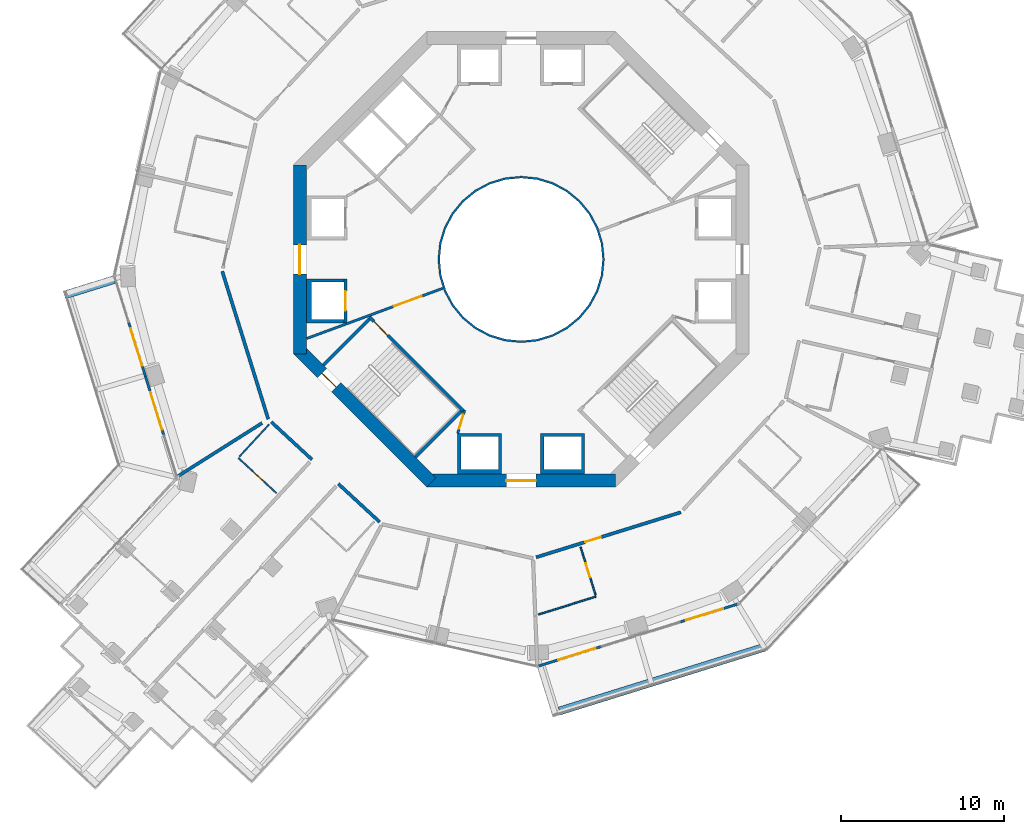
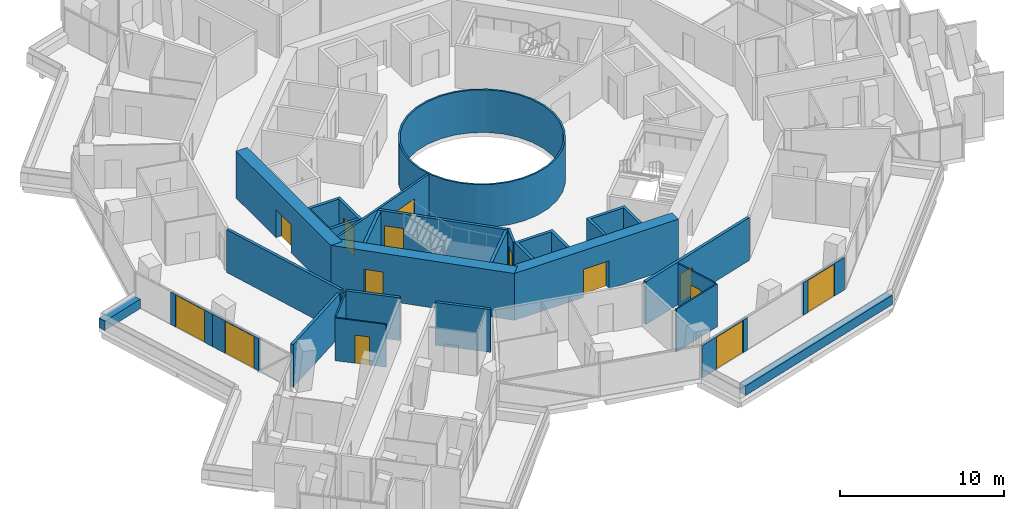
# One storey, part 18 of 25: 28 walls, 14 doors, 14 openings.
"""IFC4 building model written with IfcOpenShell, lengths in metres."""

import ifcopenshell
import ifcopenshell.guid

model = None  # the IFC model being written
_history = None  # IfcOwnerHistory: only IFC2X3 demands one
_inside = {}  # id of a spatial element -> (the spatial element, [elements in it])
_under = {}  # id of a project, library or spatial element -> (it, [spatial elements below it])
_declared = {}  # id of a project -> (the project, [libraries it declares])
_typed = {}  # id of a type object -> (the type object, [elements of that type])
_made_of = {}  # id of a material, layer set ... -> (it, [elements and type objects made of it])


def new_model(schema):
    """Start an empty IFC model of exactly this schema.

    Asked for "IFC4X3", IfcOpenShell would pick the latest addendum, in which some entities
    have other attributes; the version numbers below select the first issue.
    IFC2X3 requires an IfcOwnerHistory on every rooted entity: one is made here for all.
    """
    global model, _history
    if schema == "IFC4X3":
        model = ifcopenshell.file(schema_version=(4, 3, 0, 0))
    else:
        model = ifcopenshell.file(schema=schema)
    _inside.clear()
    _under.clear()
    _declared.clear()
    _typed.clear()
    _made_of.clear()
    _history = None
    if model.schema == "IFC2X3":
        org = make("IfcOrganization", Name="unknown")
        user = make(
            "IfcPersonAndOrganization",
            ThePerson=make("IfcPerson", FamilyName="unknown"),
            TheOrganization=org,
        )
        app = make(
            "IfcApplication",
            ApplicationDeveloper=org,
            Version="unknown",
            ApplicationFullName="unknown",
            ApplicationIdentifier="unknown",
        )
        _history = make(
            "IfcOwnerHistory",
            OwningUser=user,
            OwningApplication=app,
            ChangeAction="ADDED",
            CreationDate=0,
        )
    return model


def make(cls, **values):
    """One entity of the class cls with the attributes given. An attribute that is None is left unset."""
    return model.create_entity(
        cls, **{name: value for name, value in values.items() if value is not None}
    )


def rooted(cls, **values):
    """An entity with a GlobalId (a new one), such as an element, a storey or a relation."""
    return make(cls, GlobalId=ifcopenshell.guid.new(), OwnerHistory=_history, **values)


def si_unit(unit_type, name, prefix=None):
    """IfcSIUnit, for example si_unit("LENGTHUNIT", "METRE", prefix="MILLI")."""
    return make("IfcSIUnit", UnitType=unit_type, Prefix=prefix, Name=name)


def assignment(units):
    """IfcUnitAssignment: the units of a project."""
    return None if units is None else make("IfcUnitAssignment", Units=units)


def point(xyz):
    """IfcCartesianPoint."""
    return None if xyz is None else make("IfcCartesianPoint", Coordinates=xyz)


def direction(xyz):
    """IfcDirection."""
    return None if xyz is None else make("IfcDirection", DirectionRatios=xyz)


def frame(location, z_axis=None, x_axis=None):
    """IfcAxis2Placement3D, a coordinate frame: its origin and axes. An axis left out is left unset."""
    return make(
        "IfcAxis2Placement3D",
        Location=point(location),
        Axis=direction(z_axis),
        RefDirection=direction(x_axis),
    )


def frame_2d(location, x_axis=None):
    """IfcAxis2Placement2D, a coordinate frame in the plane: its origin and x axis."""
    return make(
        "IfcAxis2Placement2D", Location=point(location), RefDirection=direction(x_axis)
    )


def origin():
    """The frame at (0, 0, 0) with its axes left unset."""
    return frame((0.0, 0.0, 0.0))


def place(relative_to, where):
    """IfcLocalPlacement: puts the frame where relative to a parent placement (None: the world)."""
    return make(
        "IfcLocalPlacement", PlacementRelTo=relative_to, RelativePlacement=where
    )


def context(
    kind, dimensions, precision=None, world=None, true_north=None, identifier=None
):
    """IfcGeometricRepresentationContext, for example the 3D "Model" context."""
    return make(
        "IfcGeometricRepresentationContext",
        ContextIdentifier=identifier,
        ContextType=kind,
        CoordinateSpaceDimension=dimensions,
        Precision=precision,
        WorldCoordinateSystem=world,
        TrueNorth=true_north,
    )


def subcontext(parent, identifier, kind, view, scale=None):
    """IfcGeometricRepresentationSubContext, for example "Body" below "Model"."""
    return make(
        "IfcGeometricRepresentationSubContext",
        ContextIdentifier=identifier,
        ContextType=kind,
        ParentContext=parent,
        TargetScale=scale,
        TargetView=view,
    )


def project(units=None, contexts=None):
    """IfcProject with its units and contexts."""
    return rooted(
        "IfcProject",
        Name="project",
        RepresentationContexts=contexts,
        UnitsInContext=assignment(units),
    )


def spatial(cls, under=None, at=None, **own):
    """A site, building, storey or space (cls), placed at a placement, below another one or the project."""
    s = rooted(cls, ObjectPlacement=at, **own)
    if under is not None:
        _under.setdefault(under.id(), (under, []))[1].append(s)
    return s


def polyline(points):
    """IfcPolyline through the points."""
    return make("IfcPolyline", Points=[point(p) for p in points])


def profile(cls, at=None, kind="AREA", **sizes):
    """A parametric profile (cls). Its sizes go by their IFC names, for example OverallWidth=200.0."""
    return make(cls, ProfileType=kind, Position=at, **sizes)


def rectangle(**sizes):
    """IfcRectangleProfileDef."""
    return profile("IfcRectangleProfileDef", **sizes)


def outline(outer, holes=None, kind="AREA"):
    """IfcArbitraryClosedProfileDef: a profile drawn as a closed curve; with holes, ...WithVoids."""
    if holes is None:
        return make("IfcArbitraryClosedProfileDef", ProfileType=kind, OuterCurve=outer)
    return make(
        "IfcArbitraryProfileDefWithVoids",
        ProfileType=kind,
        OuterCurve=outer,
        InnerCurves=holes,
    )


def extrude(swept, where, along, depth):
    """IfcExtrudedAreaSolid: the profile swept, set in the frame where, extruded along a direction by depth."""
    return make(
        "IfcExtrudedAreaSolid",
        SweptArea=swept,
        Position=where,
        ExtrudedDirection=direction(along),
        Depth=depth,
    )


def shape(context_of_items, identifier, shape_type, items):
    """IfcShapeRepresentation: the items that make up one representation, for example the "Body"."""
    return make(
        "IfcShapeRepresentation",
        ContextOfItems=context_of_items,
        RepresentationIdentifier=identifier,
        RepresentationType=shape_type,
        Items=items,
    )


def material(Name=None, Category=None):
    """IfcMaterial."""
    return make("IfcMaterial", Name=Name, Category=Category)


def layer(
    of_material, thickness, ventilated=None, Name=None, Category=None, Priority=None
):
    """IfcMaterialLayer: one layer of a wall or slab, of a material (None: an air gap)."""
    return make(
        "IfcMaterialLayer",
        Material=of_material,
        LayerThickness=thickness,
        IsVentilated=ventilated,
        Name=Name,
        Category=Category,
        Priority=Priority,
    )


def layer_set(layers, Name=None):
    """IfcMaterialLayerSet."""
    return make("IfcMaterialLayerSet", MaterialLayers=layers, LayerSetName=Name)


def made_of(thing, what):
    """Note that an element or type object is made of a material, layer set ...; save() writes the relation."""
    if what is not None:
        _made_of.setdefault(what.id(), (what, []))[1].append(thing)
    return thing


def type_object(cls, material=None, **own):
    """A type object (cls), such as IfcWallType, which elements share."""
    return made_of(rooted(cls, **own), material)


def element(
    cls,
    number,
    at=None,
    inside=None,
    cuts=None,
    type_object=None,
    material=None,
    context=None,
    identifier="Body",
    shape_type=None,
    held_by="IfcProductDefinitionShape",
    body=None,
    shapes=None,
    **own,
):
    """One element of the class cls, such as IfcWall. Its Tag is "e" and its number.

    at: its placement. inside: the storey or other place that contains it. cuts: it is an
    opening in that element (IfcRelVoidsElement). A single representation is given by context,
    identifier, shape_type and body (its items); several are given by shapes. held_by: the class
    of the entity that holds the representations. save() writes the other relations.
    """
    e = rooted(cls, Tag="e%d" % number, ObjectPlacement=at, **own)
    if body is not None:
        shapes = [shape(context, identifier, shape_type, body)]
    if shapes is not None:
        e.Representation = make(held_by, Representations=shapes)
    if inside is not None:
        _inside.setdefault(inside.id(), (inside, []))[1].append(e)
    if cuts is not None:
        rooted(
            "IfcRelVoidsElement", RelatingBuildingElement=cuts, RelatedOpeningElement=e
        )
    if type_object is not None:
        _typed.setdefault(type_object.id(), (type_object, []))[1].append(e)
    return made_of(e, material)


def fill(opening, filler):
    """IfcRelFillsElement: the door or window that sits in an opening."""
    return rooted(
        "IfcRelFillsElement",
        RelatingOpeningElement=opening,
        RelatedBuildingElement=filler,
    )


def aggregate(whole, parts):
    """IfcRelAggregates: a whole, such as a stair, and the parts it consists of."""
    return rooted("IfcRelAggregates", RelatingObject=whole, RelatedObjects=parts)


def save(model, path):
    """Write the relations noted so far, then the file.

    IfcRelAggregates (storeys below a building ...), IfcRelContainedInSpatialStructure (elements
    in a storey), IfcRelDefinesByType, IfcRelAssociatesMaterial and IfcRelDeclares: one each for
    every whole, place, type object, material and project.
    """
    for whole, parts in _under.values():
        aggregate(whole, parts)
    for where, things in _inside.values():
        rooted(
            "IfcRelContainedInSpatialStructure",
            RelatedElements=things,
            RelatingStructure=where,
        )
    for kind, things in _typed.values():
        rooted("IfcRelDefinesByType", RelatedObjects=things, RelatingType=kind)
    for what, things in _made_of.values():
        rooted("IfcRelAssociatesMaterial", RelatedObjects=things, RelatingMaterial=what)
    for by, libraries in _declared.values():
        rooted("IfcRelDeclares", RelatingContext=by, RelatedDefinitions=libraries)
    model.write(path)


model = new_model("IFC4")

# Units and contexts
model_context = context("Model", 3, precision=1e-05, world=origin(), true_north=direction((0.0, 1.0)))
body_context = subcontext(model_context, "Body", "Model", "MODEL_VIEW")
ifc_project = project(units=[si_unit("LENGTHUNIT", "METRE"), si_unit("AREAUNIT", "SQUARE_METRE"), si_unit("VOLUMEUNIT", "CUBIC_METRE"), si_unit("PLANEANGLEUNIT", "RADIAN"), si_unit("MASSUNIT", "GRAM", prefix="KILO")], contexts=[model_context])

# Site, building, storey
site_placement = place(None, origin())
site = spatial("IfcSite", under=ifc_project, at=site_placement, CompositionType="ELEMENT")
building_placement = place(site_placement, origin())
building = spatial("IfcBuilding", under=site, at=building_placement, Name="Verdalira Terraces Hotel", CompositionType="ELEMENT")
storey_placement = place(building_placement, frame((0.0, 0.0, 103.5)))
storey = spatial("IfcBuildingStorey", under=building, at=storey_placement, Name="L24", CompositionType="ELEMENT", Elevation=103.5)

# Walls
ifc_material_1 = material(Name="Fire-resisting glass EI 180", Category="glass")
ifc_layer_1 = layer(ifc_material_1, 0.1201171875)
ifc_layer_set_1 = layer_set([ifc_layer_1], Name="Atrium fire screen 120 mm")
wall_type_1 = type_object("IfcWallType", Name="Atrium fire screen 120 mm", PredefinedType="SOLIDWALL", material=ifc_layer_set_1)
wall_1_placement = place(storey_placement, origin())
element("IfcWall", 1, at=wall_1_placement, inside=storey, type_object=wall_type_1, Name="Atrium fire screen", PredefinedType="SOLIDWALL", context=body_context, shape_type="SweptSolid", body=[
    extrude(outline(polyline([(5.021484, -0.998779), (4.730225, -1.959229), (4.25708, -2.844482), (3.620361, -3.620361), (2.844482, -4.25708), (1.959229, -4.730225), (0.998779, -5.021484), (0.0, -5.120117), (-0.998779, -5.021484), (-1.959229, -4.730225), (-2.844482, -4.25708), (-3.620361, -3.620361), (-4.25708, -2.844482), (-4.730225, -1.959229), (-5.021484, -0.998779), (-5.120117, 0.0), (-5.021484, 0.998779), (-4.730225, 1.959229), (-4.25708, 2.844482), (-3.620361, 3.620361), (-2.844482, 4.25708), (-1.959229, 4.730225), (-0.998779, 5.021484), (0.0, 5.120117), (0.998779, 5.021484), (1.959229, 4.730225), (2.844482, 4.25708), (3.620361, 3.620361), (4.25708, 2.844482), (4.730225, 1.959229), (5.021484, 0.998779), (5.120117, 0.0), (5.021484, -0.998779)]), holes=[polyline([(4.903809, 0.975586), (4.619385, 1.91333), (4.157227, 2.777832), (3.5354, 3.5354), (2.777832, 4.157227), (1.91333, 4.619385), (0.975586, 4.903809), (0.0, 5.0), (-0.975586, 4.903809), (-1.91333, 4.619385), (-2.777832, 4.157227), (-3.5354, 3.5354), (-4.157227, 2.777832), (-4.619385, 1.91333), (-4.903809, 0.975586), (-5.0, 0.0), (-4.903809, -0.975586), (-4.619385, -1.91333), (-4.157227, -2.777832), (-3.5354, -3.5354), (-2.777832, -4.157227), (-1.91333, -4.619385), (-0.975586, -4.903809), (0.0, -5.0), (0.975586, -4.903809), (1.91333, -4.619385), (2.777832, -4.157227), (3.5354, -3.5354), (4.157227, -2.777832), (4.619385, -1.91333), (4.903809, -0.975586), (5.0, 0.0), (4.903809, 0.975586)])]), origin(), (0.0, 0.0, 1.0), 3.189941),
])
ifc_material_2 = material(Name="Concrete C40", Category="concrete")
ifc_layer_2 = layer(ifc_material_2, 0.5)
ifc_layer_set_2 = layer_set([ifc_layer_2], Name="Balcony planter trough with tree")
wall_type_2 = type_object("IfcWallType", Name="Balcony planter trough with tree", PredefinedType="SOLIDWALL", material=ifc_layer_set_2)
wall_2_placement = place(storey_placement, frame((-25.020996, -1.238037, 0.0), z_axis=(0.0, 0.0, 1.0), x_axis=(-0.954841862, -0.297114489, 0.0)))
element("IfcWall", 2, at=wall_2_placement, inside=storey, type_object=wall_type_2, Name="Balcony planter", PredefinedType="SOLIDWALL", context=body_context, shape_type="SweptSolid", body=[
    extrude(rectangle(XDim=3.198975, YDim=0.5, at=frame_2d((1.599609, 0.0))), origin(), (0.0, 0.0, 1.0), 0.699951),
])
wall_3_placement = place(storey_placement, frame((2.352783, -27.762451, 0.0), z_axis=(0.0, 0.0, 1.0), x_axis=(0.954869112, 0.297026901, 0.0)))
element("IfcWall", 3, at=wall_3_placement, inside=storey, type_object=wall_type_2, Name="Balcony planter", PredefinedType="SOLIDWALL", context=body_context, shape_type="SweptSolid", body=[
    extrude(rectangle(XDim=13.223389, YDim=0.5, at=frame_2d((6.611816, 0.0))), origin(), (0.0, 0.0, 1.0), 0.699951),
])
ifc_material_3 = material(Name="Moisture-resistant gypsum board partition")
ifc_layer_3 = layer(ifc_material_3, 0.10009765625)
ifc_layer_set_3 = layer_set([ifc_layer_3], Name="Bathroom partition 100 mm")
wall_type_3 = type_object("IfcWallType", Name="Bathroom partition 100 mm", PredefinedType="PARTITIONING", material=ifc_layer_set_3)
wall_4_placement = place(storey_placement, frame((-15.489258, -10.140625, 0.0), z_axis=(0.0, 0.0, 1.0), x_axis=(-0.678426553, -0.734668232, 0.0)))
element("IfcWall", 4, at=wall_4_placement, inside=storey, type_object=wall_type_3, Name="Bathroom partition", PredefinedType="PARTITIONING", context=body_context, shape_type="SweptSolid", body=[
    extrude(rectangle(XDim=2.699951, YDim=0.100098, at=frame_2d((1.350098, 0.0))), origin(), (0.0, 0.0, 1.0), 3.189941),
])

# Wall, opening, door
wall_5_placement = place(storey_placement, frame((-17.388916, -12.197754, 0.0), z_axis=(0.0, 0.0, 1.0), x_axis=(0.734698137, -0.678394168, 0.0)))
wall_5 = element("IfcWall", 5, at=wall_5_placement, inside=storey, type_object=wall_type_3, Name="Bathroom partition", PredefinedType="PARTITIONING", context=body_context, shape_type="SweptSolid", body=[
    extrude(rectangle(XDim=3.199951, YDim=0.100098, at=frame_2d((1.600098, 0.0))), origin(), (0.0, 0.0, 1.0), 3.189941),
])
opening_1_placement = place(wall_5_placement, frame((1.25, 0.0, 0.0)))
opening_1 = element("IfcOpeningElement", 6, at=opening_1_placement, cuts=wall_5, Name="Opening L24-115", PredefinedType="OPENING", context=body_context, shape_type="SweptSolid", body=[
    extrude(rectangle(XDim=0.899902, YDim=2.100098, at=frame_2d((0.449951, 1.050049))), frame((0.0, 0.060059, 0.0), z_axis=(0.0, -1.0, 0.0), x_axis=(1.0, 0.0, 0.0)), (0.0, 0.0, 1.0), 0.120117),
])
ifc_material_4 = material(Name="Timber door", Category="wood")
door_type_1 = type_object("IfcDoorType", Name="Bathroom door 900 x 2100", OperationType="NOTDEFINED", PredefinedType="DOOR", material=ifc_material_4)
door_1_placement = place(opening_1_placement, origin())
door_1 = element("IfcDoor", 7, at=door_1_placement, inside=storey, type_object=door_type_1, Name="Bathroom door 2405", OperationType="SINGLE_SWING_LEFT", OverallHeight=2.10009765625, OverallWidth=0.89990234375, PredefinedType="DOOR", context=body_context, shape_type="SweptSolid", body=[
    extrude(rectangle(XDim=0.899902, YDim=2.100098, at=frame_2d((0.449951, 1.050049))), frame((0.0, 0.024902, 0.0), z_axis=(0.0, -1.0, 0.0), x_axis=(1.0, 0.0, 0.0)), (0.0, 0.0, 1.0), 0.050049),
])
fill(opening_1, door_1)

# Wall
wall_6_placement = place(storey_placement, frame((4.605957, -20.725586, 0.0), z_axis=(0.0, 0.0, 1.0), x_axis=(-0.954858023, -0.297062546, 0.0)))
element("IfcWall", 8, at=wall_6_placement, inside=storey, type_object=wall_type_3, Name="Bathroom partition", PredefinedType="PARTITIONING", context=body_context, shape_type="SweptSolid", body=[
    extrude(rectangle(XDim=3.704102, YDim=0.100098, at=frame_2d((1.852051, 0.0))), origin(), (0.0, 0.0, 1.0), 3.189941),
])

# Wall, opening, door
wall_7_placement = place(storey_placement, frame((4.576172, -20.630127, 0.0), z_axis=(0.0, 0.0, 1.0), x_axis=(-0.297001126, 0.954877129, 0.0)))
wall_7 = element("IfcWall", 9, at=wall_7_placement, inside=storey, type_object=wall_type_3, Name="Bathroom partition", PredefinedType="PARTITIONING", context=body_context, shape_type="SweptSolid", body=[
    extrude(rectangle(XDim=3.099854, YDim=0.100098, at=frame_2d((1.549805, 0.0))), origin(), (0.0, 0.0, 1.0), 3.189941),
])
opening_2_placement = place(wall_7_placement, frame((1.149902, 0.0, 0.0)))
opening_2 = element("IfcOpeningElement", 10, at=opening_2_placement, cuts=wall_7, Name="Opening L24-125", PredefinedType="OPENING", context=body_context, shape_type="SweptSolid", body=[
    extrude(rectangle(XDim=0.899902, YDim=2.100098, at=frame_2d((0.449951, 1.050049))), frame((0.0, 0.060059, 0.0), z_axis=(0.0, -1.0, 0.0), x_axis=(1.0, 0.0, 0.0)), (0.0, 0.0, 1.0), 0.120117),
])
door_2_placement = place(opening_2_placement, origin())
door_2 = element("IfcDoor", 11, at=door_2_placement, inside=storey, type_object=door_type_1, Name="Bathroom door 2409", OperationType="SINGLE_SWING_LEFT", OverallHeight=2.10009765625, OverallWidth=0.89990234375, PredefinedType="DOOR", context=body_context, shape_type="SweptSolid", body=[
    extrude(rectangle(XDim=0.899902, YDim=2.100098, at=frame_2d((0.449951, 1.050049))), frame((0.0, 0.024902, 0.0), z_axis=(0.0, -1.0, 0.0), x_axis=(1.0, 0.0, 0.0)), (0.0, 0.0, 1.0), 0.050049),
])
fill(opening_2, door_2)

# Wall
ifc_material_5 = material(Name="Concrete C50", Category="concrete")
ifc_layer_4 = layer(ifc_material_5, 0.199951171875)
ifc_layer_set_4 = layer_set([ifc_layer_4], Name="Core RC wall 200 C50")
wall_type_4 = type_object("IfcWallType", Name="Core RC wall 200 C50", PredefinedType="SOLIDWALL", material=ifc_layer_set_4)
wall_8_placement = place(storey_placement, origin())
element("IfcWall", 12, at=wall_8_placement, inside=storey, type_object=wall_type_4, Name="L24 shaft wall W2", PredefinedType="SOLIDWALL", context=body_context, shape_type="SweptSolid", body=[
    extrude(outline(polyline([(-13.199951, -3.899902), (-13.199951, -1.199951), (-10.899902, -1.199951), (-10.899902, -1.399902), (-12.899902, -1.399902), (-12.899902, -3.699951), (-10.899902, -3.699951), (-10.899902, -3.899902), (-13.199951, -3.899902)])), origin(), (0.0, 0.0, 1.0), 3.189941),
])

# Wall, opening, door
wall_9_placement = place(storey_placement, frame((-10.800049, -1.199951, 0.0), z_axis=(0.0, 0.0, 1.0), x_axis=(0.0, -1.0, 0.0)))
wall_9 = element("IfcWall", 13, at=wall_9_placement, inside=storey, type_object=wall_type_4, Name="L24 shaft front wall W2", PredefinedType="SOLIDWALL", context=body_context, shape_type="SweptSolid", body=[
    extrude(rectangle(XDim=2.699951, YDim=0.199951, at=frame_2d((1.350098, 0.0))), origin(), (0.0, 0.0, 1.0), 3.189941),
])
opening_3_placement = place(wall_9_placement, frame((0.75, 0.0, 0.0)))
opening_3 = element("IfcOpeningElement", 14, at=opening_3_placement, cuts=wall_9, Name="Opening LD-L24-806", PredefinedType="OPENING", context=body_context, shape_type="SweptSolid", body=[
    extrude(rectangle(XDim=1.199951, YDim=2.100098, at=frame_2d((0.600098, 1.050049))), frame((0.0, 0.109863, 0.0), z_axis=(0.0, -1.0, 0.0), x_axis=(1.0, 0.0, 0.0)), (0.0, 0.0, 1.0), 0.219971),
])
ifc_material_6 = material(Name="Stainless steel", Category="steel")
door_type_2 = type_object("IfcDoorType", Name="Landing door 1200 x 2100", OperationType="NOTDEFINED", PredefinedType="DOOR", material=ifc_material_6)
door_3_placement = place(opening_3_placement, origin())
door_3 = element("IfcDoor", 15, at=door_3_placement, inside=storey, type_object=door_type_2, Name="Lift landing door LR6 L24", OperationType="DOUBLE_DOOR_SLIDING", OverallHeight=2.10009765625, OverallWidth=1.199951171875, PredefinedType="DOOR", context=body_context, shape_type="SweptSolid", body=[
    extrude(rectangle(XDim=1.199951, YDim=2.100098, at=frame_2d((0.600098, 1.050049))), frame((0.0, 0.024902, 0.0), z_axis=(0.0, -1.0, 0.0), x_axis=(1.0, 0.0, 0.0)), (0.0, 0.0, 1.0), 0.050049),
])
fill(opening_3, door_3)

# Walls
wall_10_placement = place(storey_placement, origin())
element("IfcWall", 16, at=wall_10_placement, inside=storey, type_object=wall_type_4, Name="L24 shaft wall S1", PredefinedType="SOLIDWALL", context=body_context, shape_type="SweptSolid", body=[
    extrude(outline(polyline([(-1.199951, -13.199951), (-3.899902, -13.199951), (-3.899902, -10.699951), (-1.199951, -10.699951), (-1.199951, -13.199951)]), holes=[polyline([(-3.699951, -10.899902), (-3.699951, -12.899902), (-1.399902, -12.899902), (-1.399902, -10.899902), (-3.699951, -10.899902)])]), origin(), (0.0, 0.0, 1.0), 3.189941),
])
wall_11_placement = place(storey_placement, origin())
element("IfcWall", 17, at=wall_11_placement, inside=storey, type_object=wall_type_4, Name="L24 shaft wall S2", PredefinedType="SOLIDWALL", context=body_context, shape_type="SweptSolid", body=[
    extrude(outline(polyline([(3.899902, -10.699951), (3.899902, -13.199951), (1.199951, -13.199951), (1.199951, -10.699951), (3.899902, -10.699951)]), holes=[polyline([(1.399902, -12.899902), (3.699951, -12.899902), (3.699951, -10.899902), (1.399902, -10.899902), (1.399902, -12.899902)])]), origin(), (0.0, 0.0, 1.0), 3.189941),
])

# Wall, opening, door
wall_12_placement = place(storey_placement, frame((-3.5354, -9.33374, 0.0), z_axis=(0.0, 0.0, 1.0), x_axis=(-0.707106781, 0.707106781, 0.0)))
wall_12 = element("IfcWall", 18, at=wall_12_placement, inside=storey, type_object=wall_type_4, Name="L24 stair ST2 front wall", PredefinedType="SOLIDWALL", context=body_context, shape_type="SweptSolid", body=[
    extrude(rectangle(XDim=8.200195, YDim=0.199951, at=frame_2d((4.100098, 0.0))), origin(), (0.0, 0.0, 1.0), 3.189941),
])
opening_4_placement = place(wall_12_placement, frame((6.600098, 0.0, 0.0)))
opening_4 = element("IfcOpeningElement", 19, at=opening_4_placement, cuts=wall_12, Name="Opening L24-810", PredefinedType="OPENING", context=body_context, shape_type="SweptSolid", body=[
    extrude(rectangle(XDim=1.199951, YDim=2.100098, at=frame_2d((0.600098, 1.050049))), frame((0.0, 0.109863, 0.0), z_axis=(0.0, -1.0, 0.0), x_axis=(1.0, 0.0, 0.0)), (0.0, 0.0, 1.0), 0.219971),
])
ifc_material_7 = material(Name="Steel fire door", Category="steel")
door_type_3 = type_object("IfcDoorType", Name="Stair door 1200 x 2100", OperationType="NOTDEFINED", PredefinedType="DOOR", material=ifc_material_7)
door_4_placement = place(opening_4_placement, origin())
door_4 = element("IfcDoor", 20, at=door_4_placement, inside=storey, type_object=door_type_3, Name="Stair door ST2 L24", OperationType="SINGLE_SWING_RIGHT", OverallHeight=2.10009765625, OverallWidth=1.199951171875, PredefinedType="DOOR", context=body_context, shape_type="SweptSolid", body=[
    extrude(rectangle(XDim=1.199951, YDim=2.100098, at=frame_2d((0.600098, 1.050049))), frame((0.0, 0.024902, 0.0), z_axis=(0.0, -1.0, 0.0), x_axis=(1.0, 0.0, 0.0)), (0.0, 0.0, 1.0), 0.050049),
])
fill(opening_4, door_4)

# Walls
for number, where, z_axis, x_axis, name in (
    (21, (-9.33374, -3.677002, 0.0), (0.0, 0.0, 1.0), (-0.707106781, -0.707106781, 0.0), "L24 stair ST2 end wall 1"),
    (22, (-3.677002, -9.33374, 0.0), (0.0, 0.0, 1.0), (-0.707106781, -0.707106781, 0.0), "L24 stair ST2 end wall 2"),
):
    element("IfcWall", number, at=place(storey_placement, frame(where, z_axis=z_axis, x_axis=x_axis)), inside=storey, type_object=wall_type_4, Name=name, PredefinedType="SOLIDWALL", context=body_context, shape_type="SweptSolid", body=[
        extrude(rectangle(XDim=4.0, YDim=0.199951, at=frame_2d((2.0, 0.0))), origin(), (0.0, 0.0, 1.0), 3.189941),
    ])

# Wall, opening, door
ifc_material_8 = material(Name="Gypsum board partition")
ifc_layer_5 = layer(ifc_material_8, 0.14990234375)
ifc_layer_set_5 = layer_set([ifc_layer_5], Name="Core partition 150 mm")
wall_type_5 = type_object("IfcWallType", Name="Core partition 150 mm", PredefinedType="PARTITIONING", material=ifc_layer_set_5)
wall_13_placement = place(storey_placement, frame((-3.464844, -9.263184, 0.0), z_axis=(0.0, 0.0, 1.0), x_axis=(-0.289808785, -0.957084567, 0.0)))
wall_13 = element("IfcWall", 23, at=wall_13_placement, inside=storey, type_object=wall_type_5, Name="Room partition L24", PredefinedType="PARTITIONING", context=body_context, shape_type="SweptSolid", body=[
    extrude(rectangle(XDim=1.501221, YDim=0.149902, at=frame_2d((0.750488, 0.0))), origin(), (0.0, 0.0, 1.0), 3.189941),
])
opening_5_placement = place(wall_13_placement, frame((0.300781, 0.0, 0.0)))
opening_5 = element("IfcOpeningElement", 24, at=opening_5_placement, cuts=wall_13, Name="Opening L24-822", PredefinedType="OPENING", context=body_context, shape_type="SweptSolid", body=[
    extrude(rectangle(XDim=0.899902, YDim=2.100098, at=frame_2d((0.449951, 1.050049))), frame((0.0, 0.084961, 0.0), z_axis=(0.0, -1.0, 0.0), x_axis=(1.0, 0.0, 0.0)), (0.0, 0.0, 1.0), 0.169922),
])
ifc_material_9 = material(Name="Steel fire door", Category="steel")
door_type_4 = type_object("IfcDoorType", Name="Core room door 900 x 2100", OperationType="NOTDEFINED", PredefinedType="DOOR", material=ifc_material_9)
door_5_placement = place(opening_5_placement, origin())
door_5 = element("IfcDoor", 25, at=door_5_placement, inside=storey, type_object=door_type_4, Name="Door L24 room5", OperationType="SINGLE_SWING_LEFT", OverallHeight=2.10009765625, OverallWidth=0.89990234375, PredefinedType="DOOR", context=body_context, shape_type="SweptSolid", body=[
    extrude(rectangle(XDim=0.899902, YDim=2.100098, at=frame_2d((0.449951, 1.050049))), frame((0.0, 0.024902, 0.0), z_axis=(0.0, -1.0, 0.0), x_axis=(1.0, 0.0, 0.0)), (0.0, 0.0, 1.0), 0.050049),
])
fill(opening_5, door_5)

wall_14_placement = place(storey_placement, frame((-4.812988, -1.775635, 0.0), z_axis=(0.0, 0.0, 1.0), x_axis=(-0.938191915, -0.346115488, 0.0)))
wall_14 = element("IfcWall", 26, at=wall_14_placement, inside=storey, type_object=wall_type_5, Name="Gallery fire partition L24", PredefinedType="PARTITIONING", context=body_context, shape_type="SweptSolid", body=[
    extrude(rectangle(XDim=8.909668, YDim=0.149902, at=frame_2d((4.454834, 0.0))), origin(), (0.0, 0.0, 1.0), 3.189941),
])
opening_6_placement = place(wall_14_placement, frame((1.399902, 0.0, 0.0)))
opening_6 = element("IfcOpeningElement", 27, at=opening_6_placement, cuts=wall_14, Name="Opening L24-825", PredefinedType="OPENING", context=body_context, shape_type="SweptSolid", body=[
    extrude(rectangle(XDim=1.800049, YDim=2.100098, at=frame_2d((0.899902, 1.050049))), frame((0.0, 0.084961, 0.0), z_axis=(0.0, -1.0, 0.0), x_axis=(1.0, 0.0, 0.0)), (0.0, 0.0, 1.0), 0.169922),
])
ifc_material_10 = material(Name="Steel fire door", Category="steel")
door_type_5 = type_object("IfcDoorType", Name="Gallery fire door pair 1800 x 2100", OperationType="NOTDEFINED", PredefinedType="DOOR", material=ifc_material_10)
door_6_placement = place(opening_6_placement, origin())
door_6 = element("IfcDoor", 28, at=door_6_placement, inside=storey, type_object=door_type_5, Name="Door L24 split4", OperationType="DOUBLE_DOOR_SINGLE_SWING", OverallHeight=2.10009765625, OverallWidth=1.800048828125, PredefinedType="DOOR", context=body_context, shape_type="SweptSolid", body=[
    extrude(rectangle(XDim=1.800049, YDim=2.100098, at=frame_2d((0.899902, 1.050049))), frame((0.0, 0.024902, 0.0), z_axis=(0.0, -1.0, 0.0), x_axis=(1.0, 0.0, 0.0)), (0.0, 0.0, 1.0), 0.050049),
])
fill(opening_6, door_6)

ifc_material_11 = material(Name="Concrete C70", Category="concrete")
ifc_layer_6 = layer(ifc_material_11, 0.800048828125)
ifc_layer_set_6 = layer_set([ifc_layer_6], Name="Core wall 800 C70")
wall_type_6 = type_object("IfcWallType", Name="Core wall 800 C70", PredefinedType="SHEAR", material=ifc_layer_set_6)
wall_15_placement = place(storey_placement, frame((-13.600098, 5.799072, 0.0), z_axis=(0.0, 0.0, 1.0), x_axis=(0.0, -1.0, 0.0)))
wall_15 = element("IfcWall", 29, at=wall_15_placement, inside=storey, type_object=wall_type_6, Name="Core wall CW-L24-5", PredefinedType="SHEAR", context=body_context, shape_type="SweptSolid", body=[
    extrude(rectangle(XDim=11.598145, YDim=0.800049, at=frame_2d((5.799072, 0.0))), origin(), (0.0, 0.0, 1.0), 3.5),
])
opening_7_placement = place(wall_15_placement, frame((4.898926, 0.0, 0.0)))
opening_7 = element("IfcOpeningElement", 30, at=opening_7_placement, cuts=wall_15, Name="Opening L24-814", PredefinedType="OPENING", context=body_context, shape_type="SweptSolid", body=[
    extrude(rectangle(XDim=1.800049, YDim=2.100098, at=frame_2d((0.899902, 1.050049))), frame((0.0, 0.409912, 0.0), z_axis=(0.0, -1.0, 0.0), x_axis=(1.0, 0.0, 0.0)), (0.0, 0.0, 1.0), 0.820068),
])
ifc_material_12 = material(Name="Steel fire door", Category="steel")
door_type_6 = type_object("IfcDoorType", Name="Core entry door pair 1800 x 2100", OperationType="NOTDEFINED", PredefinedType="DOOR", material=ifc_material_12)
door_7_placement = place(opening_7_placement, origin())
door_7 = element("IfcDoor", 31, at=door_7_placement, inside=storey, type_object=door_type_6, Name="Core entry door L24 4", OperationType="DOUBLE_DOOR_SINGLE_SWING", OverallHeight=2.10009765625, OverallWidth=1.800048828125, PredefinedType="DOOR", context=body_context, shape_type="SweptSolid", body=[
    extrude(rectangle(XDim=1.800049, YDim=2.100098, at=frame_2d((0.899902, 1.050049))), frame((0.0, 0.024902, 0.0), z_axis=(0.0, -1.0, 0.0), x_axis=(1.0, 0.0, 0.0)), (0.0, 0.0, 1.0), 0.050049),
])
fill(opening_7, door_7)

wall_16_placement = place(storey_placement, frame((-13.717285, -5.516113, 0.0), z_axis=(0.0, 0.0, 1.0), x_axis=(0.707106781, -0.707106781, 0.0)))
wall_16 = element("IfcWall", 32, at=wall_16_placement, inside=storey, type_object=wall_type_6, Name="Core wall CW-L24-6", PredefinedType="SHEAR", context=body_context, shape_type="SweptSolid", body=[
    extrude(rectangle(XDim=11.598145, YDim=0.800049, at=frame_2d((5.799072, 0.0))), origin(), (0.0, 0.0, 1.0), 3.5),
])
opening_8_placement = place(wall_16_placement, frame((2.099121, 0.0, 0.0)))
opening_8 = element("IfcOpeningElement", 33, at=opening_8_placement, cuts=wall_16, Name="Opening L24-817", PredefinedType="OPENING", context=body_context, shape_type="SweptSolid", body=[
    extrude(rectangle(XDim=1.199951, YDim=2.100098, at=frame_2d((0.600098, 1.050049))), frame((0.0, 0.409912, 0.0), z_axis=(0.0, -1.0, 0.0), x_axis=(1.0, 0.0, 0.0)), (0.0, 0.0, 1.0), 0.820068),
])
door_8_placement = place(opening_8_placement, origin())
door_8 = element("IfcDoor", 34, at=door_8_placement, inside=storey, type_object=door_type_3, Name="Stair exit door ST2 L24", OperationType="SINGLE_SWING_LEFT", OverallHeight=2.10009765625, OverallWidth=1.199951171875, PredefinedType="DOOR", context=body_context, shape_type="SweptSolid", body=[
    extrude(rectangle(XDim=1.199951, YDim=2.100098, at=frame_2d((0.600098, 1.050049))), frame((0.0, 0.024902, 0.0), z_axis=(0.0, -1.0, 0.0), x_axis=(1.0, 0.0, 0.0)), (0.0, 0.0, 1.0), 0.050049),
])
fill(opening_8, door_8)

wall_17_placement = place(storey_placement, frame((-5.799072, -13.600098, 0.0), z_axis=(0.0, 0.0, 1.0), x_axis=(1.0, 0.0, 0.0)))
wall_17 = element("IfcWall", 35, at=wall_17_placement, inside=storey, type_object=wall_type_6, Name="Core wall CW-L24-7", PredefinedType="SHEAR", context=body_context, shape_type="SweptSolid", body=[
    extrude(rectangle(XDim=11.598145, YDim=0.800049, at=frame_2d((5.799072, 0.0))), origin(), (0.0, 0.0, 1.0), 3.5),
])
opening_9_placement = place(wall_17_placement, frame((4.898926, 0.0, 0.0)))
opening_9 = element("IfcOpeningElement", 36, at=opening_9_placement, cuts=wall_17, Name="Opening L24-815", PredefinedType="OPENING", context=body_context, shape_type="SweptSolid", body=[
    extrude(rectangle(XDim=1.800049, YDim=2.100098, at=frame_2d((0.899902, 1.050049))), frame((0.0, 0.409912, 0.0), z_axis=(0.0, -1.0, 0.0), x_axis=(1.0, 0.0, 0.0)), (0.0, 0.0, 1.0), 0.820068),
])
door_9_placement = place(opening_9_placement, origin())
door_9 = element("IfcDoor", 37, at=door_9_placement, inside=storey, type_object=door_type_6, Name="Core entry door L24 6", OperationType="DOUBLE_DOOR_SINGLE_SWING", OverallHeight=2.10009765625, OverallWidth=1.800048828125, PredefinedType="DOOR", context=body_context, shape_type="SweptSolid", body=[
    extrude(rectangle(XDim=1.800049, YDim=2.100098, at=frame_2d((0.899902, 1.050049))), frame((0.0, 0.024902, 0.0), z_axis=(0.0, -1.0, 0.0), x_axis=(1.0, 0.0, 0.0)), (0.0, 0.0, 1.0), 0.050049),
])
fill(opening_9, door_9)

# Walls
ifc_material_13 = material(Name="Fire-rated gypsum board wall")
ifc_layer_7 = layer(ifc_material_13, 0.199951171875)
ifc_layer_set_7 = layer_set([ifc_layer_7], Name="Demising wall 200 mm")
wall_type_7 = type_object("IfcWallType", Name="Demising wall 200 mm", PredefinedType="SOLIDWALL", material=ifc_layer_set_7)
wall_18_placement = place(storey_placement, frame((-15.921387, -10.057373, 0.0), z_axis=(0.0, 0.0, 1.0), x_axis=(-0.845445381, -0.534061895, 0.0)))
element("IfcWall", 38, at=wall_18_placement, inside=storey, type_object=wall_type_7, Name="Demising wall", PredefinedType="SOLIDWALL", context=body_context, shape_type="SweptSolid", body=[
    extrude(rectangle(XDim=6.13208, YDim=0.199951, at=frame_2d((3.065918, 0.0))), origin(), (0.0, 0.0, 1.0), 3.189941),
])
ifc_material_14 = material(Name="Fire-rated gypsum board wall")
ifc_layer_8 = layer(ifc_material_14, 0.199951171875)
ifc_layer_set_8 = layer_set([ifc_layer_8], Name="Guest corridor wall 200 mm")
wall_type_8 = type_object("IfcWallType", Name="Guest corridor wall 200 mm", PredefinedType="SOLIDWALL", material=ifc_layer_set_8)
wall_19_placement = place(storey_placement, frame((-18.370117, -0.731934, 0.0), z_axis=(0.0, 0.0, 1.0), x_axis=(0.297037443, -0.954865832, 0.0)))
element("IfcWall", 39, at=wall_19_placement, inside=storey, type_object=wall_type_8, Name="Guest corridor wall", PredefinedType="SOLIDWALL", context=body_context, shape_type="SweptSolid", body=[
    extrude(rectangle(XDim=9.516113, YDim=0.199951, at=frame_2d((4.758057, 0.0))), origin(), (0.0, 0.0, 1.0), 3.189941),
])
wall_20_placement = place(storey_placement, frame((-15.353516, -9.993896, 0.0), z_axis=(0.0, 0.0, 1.0), x_axis=(0.734696063, -0.678396414, 0.0)))
element("IfcWall", 40, at=wall_20_placement, inside=storey, type_object=wall_type_8, Name="Guest corridor wall", PredefinedType="SOLIDWALL", context=body_context, shape_type="SweptSolid", body=[
    extrude(rectangle(XDim=3.399658, YDim=0.199951, at=frame_2d((1.699707, 0.0))), origin(), (0.0, 0.0, 1.0), 3.189941),
])
wall_21_placement = place(storey_placement, frame((-11.239502, -13.792969, 0.0), z_axis=(0.0, 0.0, 1.0), x_axis=(0.734711421, -0.678379781, 0.0)))
element("IfcWall", 41, at=wall_21_placement, inside=storey, type_object=wall_type_8, Name="Guest corridor wall", PredefinedType="SOLIDWALL", context=body_context, shape_type="SweptSolid", body=[
    extrude(rectangle(XDim=3.458496, YDim=0.199951, at=frame_2d((1.729248, 0.0))), origin(), (0.0, 0.0, 1.0), 3.189941),
])

# Wall, opening, door
wall_22_placement = place(storey_placement, frame((9.818115, -15.543457, 0.0), z_axis=(0.0, 0.0, 1.0), x_axis=(-0.954863879, -0.297043721, 0.0)))
wall_22 = element("IfcWall", 42, at=wall_22_placement, inside=storey, type_object=wall_type_8, Name="Guest corridor wall", PredefinedType="SOLIDWALL", context=body_context, shape_type="SweptSolid", body=[
    extrude(rectangle(XDim=9.316162, YDim=0.199951, at=frame_2d((4.658203, 0.0))), origin(), (0.0, 0.0, 1.0), 3.189941),
])
opening_10_placement = place(wall_22_placement, frame((5.149902, 0.0, 0.0)))
opening_10 = element("IfcOpeningElement", 43, at=opening_10_placement, cuts=wall_22, Name="Opening L24-124", PredefinedType="OPENING", context=body_context, shape_type="SweptSolid", body=[
    extrude(rectangle(XDim=1.0, YDim=2.100098, at=frame_2d((0.5, 1.050049))), frame((0.0, 0.109863, 0.0), z_axis=(0.0, -1.0, 0.0), x_axis=(1.0, 0.0, 0.0)), (0.0, 0.0, 1.0), 0.219971),
])
ifc_material_15 = material(Name="Timber fire door", Category="wood")
door_type_7 = type_object("IfcDoorType", Name="Guest entry door 1000 x 2100", OperationType="NOTDEFINED", PredefinedType="DOOR", material=ifc_material_15)
door_10_placement = place(opening_10_placement, origin())
door_10 = element("IfcDoor", 44, at=door_10_placement, inside=storey, type_object=door_type_7, Name="Guest entry door 2409", OperationType="SINGLE_SWING_LEFT", OverallHeight=2.10009765625, OverallWidth=1.0, PredefinedType="DOOR", context=body_context, shape_type="SweptSolid", body=[
    extrude(rectangle(XDim=1.0, YDim=2.100098, at=frame_2d((0.5, 1.050049))), frame((0.0, 0.024902, 0.0), z_axis=(0.0, -1.0, 0.0), x_axis=(1.0, 0.0, 0.0)), (0.0, 0.0, 1.0), 0.050049),
])
fill(opening_10, door_10)

ifc_material_16 = material(Name="Terracotta cladding", Category="masonry")
ifc_layer_9 = layer(ifc_material_16, 0.14990234375)
ifc_layer_set_9 = layer_set([ifc_layer_9], Name="Terracotta door pier 150")
wall_type_9 = type_object("IfcWallType", Name="Terracotta door pier 150", PredefinedType="SOLIDWALL", material=ifc_layer_set_9)
wall_23_placement = place(storey_placement, frame((-24.124023, -3.865234, 0.0), z_axis=(0.0, 0.0, 1.0), x_axis=(0.297046624, -0.954862976, 0.0)))
wall_23 = element("IfcWall", 45, at=wall_23_placement, inside=storey, type_object=wall_type_9, Name="Terracotta door pier", PredefinedType="SOLIDWALL", context=body_context, shape_type="SweptSolid", body=[
    extrude(rectangle(XDim=3.474854, YDim=0.149902, at=frame_2d((1.737305, 0.0))), origin(), (0.0, 0.0, 1.0), 2.425049),
])
opening_11_placement = place(wall_23_placement, frame((0.399902, 0.0, 0.0)))
opening_11 = element("IfcOpeningElement", 46, at=opening_11_placement, cuts=wall_23, Name="Opening L24-B06", PredefinedType="OPENING", context=body_context, shape_type="SweptSolid", body=[
    extrude(rectangle(XDim=2.399902, YDim=2.399902, at=frame_2d((1.199951, 1.199951))), frame((0.0, 0.084961, 0.0), z_axis=(0.0, -1.0, 0.0), x_axis=(1.0, 0.0, 0.0)), (0.0, 0.0, 1.0), 0.169922),
])
ifc_material_17 = material(Name="Clear glass", Category="glass")
door_type_8 = type_object("IfcDoorType", Name="Balcony sliding door 2400x2400", OperationType="NOTDEFINED", PredefinedType="DOOR", material=ifc_material_17)
door_11_placement = place(opening_11_placement, origin())
door_11 = element("IfcDoor", 47, at=door_11_placement, inside=storey, type_object=door_type_8, Name="Balcony sliding door", OperationType="SLIDING_TO_RIGHT", OverallHeight=2.39990234375, OverallWidth=2.39990234375, PredefinedType="DOOR", context=body_context, shape_type="SweptSolid", body=[
    extrude(rectangle(XDim=2.399902, YDim=2.399902, at=frame_2d((1.199951, 1.199951))), frame((0.0, 0.024902, 0.0), z_axis=(0.0, -1.0, 0.0), x_axis=(1.0, 0.0, 0.0)), (0.0, 0.0, 1.0), 0.050049),
])
fill(opening_11, door_11)

wall_24_placement = place(storey_placement, frame((-23.091797, -7.18335, 0.0), z_axis=(0.0, 0.0, 1.0), x_axis=(0.297049788, -0.954861992, 0.0)))
wall_24 = element("IfcWall", 48, at=wall_24_placement, inside=storey, type_object=wall_type_9, Name="Terracotta door pier", PredefinedType="SOLIDWALL", context=body_context, shape_type="SweptSolid", body=[
    extrude(rectangle(XDim=3.835693, YDim=0.149902, at=frame_2d((1.917969, 0.0))), origin(), (0.0, 0.0, 1.0), 2.425049),
])
opening_12_placement = place(wall_24_placement, frame((1.0354, 0.0, 0.0)))
opening_12 = element("IfcOpeningElement", 49, at=opening_12_placement, cuts=wall_24, Name="Opening L24-B07", PredefinedType="OPENING", context=body_context, shape_type="SweptSolid", body=[
    extrude(rectangle(XDim=2.399902, YDim=2.399902, at=frame_2d((1.199951, 1.199951))), frame((0.0, 0.084961, 0.0), z_axis=(0.0, -1.0, 0.0), x_axis=(1.0, 0.0, 0.0)), (0.0, 0.0, 1.0), 0.169922),
])
door_12_placement = place(opening_12_placement, origin())
door_12 = element("IfcDoor", 50, at=door_12_placement, inside=storey, type_object=door_type_8, Name="Balcony sliding door", OperationType="SLIDING_TO_LEFT", OverallHeight=2.39990234375, OverallWidth=2.39990234375, PredefinedType="DOOR", context=body_context, shape_type="SweptSolid", body=[
    extrude(rectangle(XDim=2.399902, YDim=2.399902, at=frame_2d((1.199951, 1.199951))), frame((0.0, 0.024902, 0.0), z_axis=(0.0, -1.0, 0.0), x_axis=(1.0, 0.0, 0.0)), (0.0, 0.0, 1.0), 0.050049),
])
fill(opening_12, door_12)

wall_25_placement = place(storey_placement, frame((1.07251, -24.99292, 0.0), z_axis=(0.0, 0.0, 1.0), x_axis=(0.954852993, 0.297078713, 0.0)))
wall_25 = element("IfcWall", 51, at=wall_25_placement, inside=storey, type_object=wall_type_9, Name="Terracotta door pier", PredefinedType="SOLIDWALL", context=body_context, shape_type="SweptSolid", body=[
    extrude(rectangle(XDim=4.067871, YDim=0.149902, at=frame_2d((2.033936, 0.0))), origin(), (0.0, 0.0, 1.0), 2.425049),
])
opening_13_placement = place(wall_25_placement, frame((1.267822, 0.0, 0.0)))
opening_13 = element("IfcOpeningElement", 52, at=opening_13_placement, cuts=wall_25, Name="Opening L24-B13", PredefinedType="OPENING", context=body_context, shape_type="SweptSolid", body=[
    extrude(rectangle(XDim=2.399902, YDim=2.399902, at=frame_2d((1.199951, 1.199951))), frame((0.0, 0.084961, 0.0), z_axis=(0.0, -1.0, 0.0), x_axis=(1.0, 0.0, 0.0)), (0.0, 0.0, 1.0), 0.169922),
])
door_13_placement = place(opening_13_placement, origin())
door_13 = element("IfcDoor", 53, at=door_13_placement, inside=storey, type_object=door_type_8, Name="Balcony sliding door", OperationType="SLIDING_TO_LEFT", OverallHeight=2.39990234375, OverallWidth=2.39990234375, PredefinedType="DOOR", context=body_context, shape_type="SweptSolid", body=[
    extrude(rectangle(XDim=2.399902, YDim=2.399902, at=frame_2d((1.199951, 1.199951))), frame((0.0, 0.024902, 0.0), z_axis=(0.0, -1.0, 0.0), x_axis=(1.0, 0.0, 0.0)), (0.0, 0.0, 1.0), 0.050049),
])
fill(opening_13, door_13)

wall_26_placement = place(storey_placement, frame((9.751709, -22.292969, 0.0), z_axis=(0.0, 0.0, 1.0), x_axis=(0.954848066, 0.29709455, 0.0)))
wall_26 = element("IfcWall", 54, at=wall_26_placement, inside=storey, type_object=wall_type_9, Name="Terracotta door pier", PredefinedType="SOLIDWALL", context=body_context, shape_type="SweptSolid", body=[
    extrude(rectangle(XDim=3.710205, YDim=0.149902, at=frame_2d((1.85498, 0.0))), origin(), (0.0, 0.0, 1.0), 2.425049),
])
opening_14_placement = place(wall_26_placement, frame((0.399902, 0.0, 0.0)))
opening_14 = element("IfcOpeningElement", 55, at=opening_14_placement, cuts=wall_26, Name="Opening L24-B14", PredefinedType="OPENING", context=body_context, shape_type="SweptSolid", body=[
    extrude(rectangle(XDim=2.399902, YDim=2.399902, at=frame_2d((1.199951, 1.199951))), frame((0.0, 0.084961, 0.0), z_axis=(0.0, -1.0, 0.0), x_axis=(1.0, 0.0, 0.0)), (0.0, 0.0, 1.0), 0.169922),
])
door_14_placement = place(opening_14_placement, origin())
door_14 = element("IfcDoor", 56, at=door_14_placement, inside=storey, type_object=door_type_8, Name="Balcony sliding door", OperationType="SLIDING_TO_RIGHT", OverallHeight=2.39990234375, OverallWidth=2.39990234375, PredefinedType="DOOR", context=body_context, shape_type="SweptSolid", body=[
    extrude(rectangle(XDim=2.399902, YDim=2.399902, at=frame_2d((1.199951, 1.199951))), frame((0.0, 0.024902, 0.0), z_axis=(0.0, -1.0, 0.0), x_axis=(1.0, 0.0, 0.0)), (0.0, 0.0, 1.0), 0.050049),
])
fill(opening_14, door_14)

save(model, "model.ifc")
